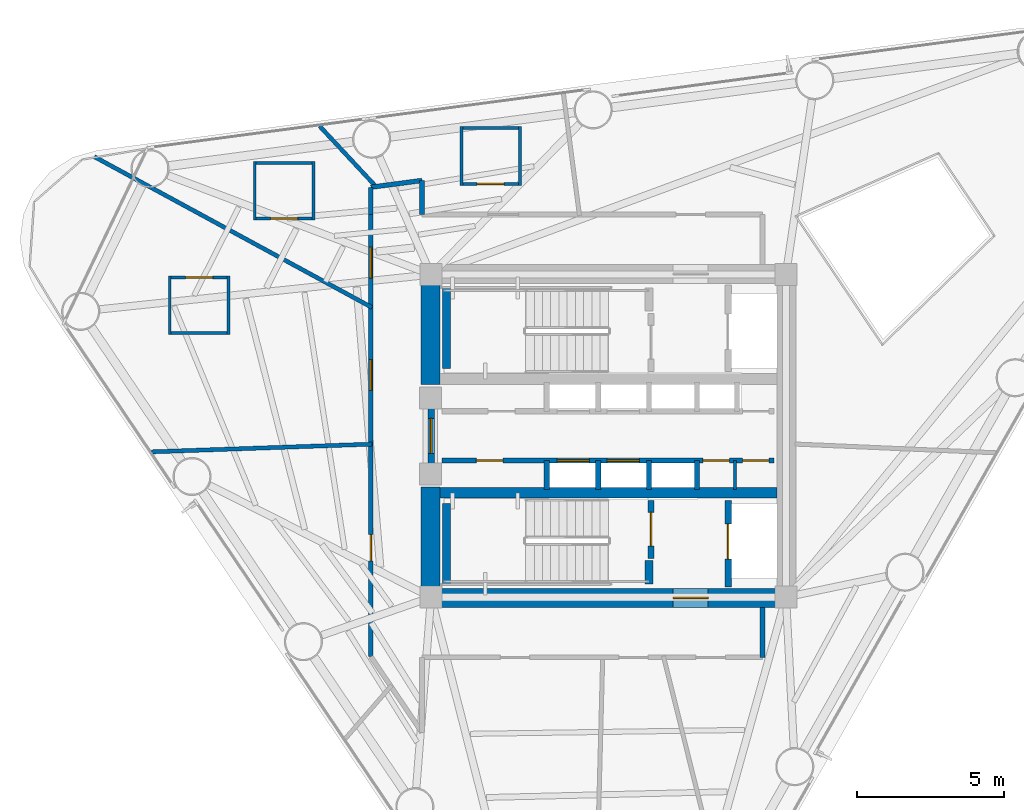
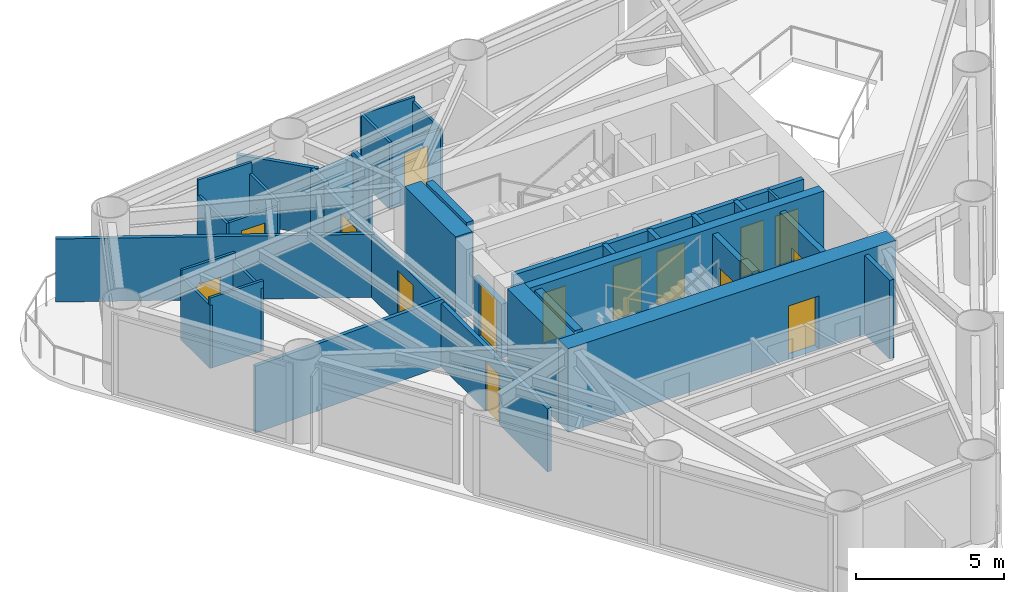
# One storey, part 5 of 9: 36 walls, 15 doors, 15 openings.
"""IFC4 building model written with IfcOpenShell, lengths in metres."""

from ifc_helpers import new_model, si_unit, direction, frame, frame_2d, origin, place, context, subcontext, project, spatial, rectangle, extrude, material, layer, layer_set, type_object, element, fill, save


model = new_model("IFC4")

# Units and contexts
model_context = context("Model", 3, precision=1e-05, world=origin(), true_north=direction((0.0, 1.0)))
body_context = subcontext(model_context, "Body", "Model", "MODEL_VIEW")
ifc_project = project(units=[si_unit("LENGTHUNIT", "METRE"), si_unit("AREAUNIT", "SQUARE_METRE"), si_unit("VOLUMEUNIT", "CUBIC_METRE"), si_unit("PLANEANGLEUNIT", "RADIAN"), si_unit("MASSUNIT", "GRAM", prefix="KILO")], contexts=[model_context])

# Site, building, storey
site_placement = place(None, origin())
site = spatial("IfcSite", under=ifc_project, at=site_placement, CompositionType="ELEMENT")
building_placement = place(site_placement, origin())
building = spatial("IfcBuilding", under=site, at=building_placement, Name="Yunling Apex Tower", CompositionType="ELEMENT")
storey_placement = place(building_placement, frame((0.0, 0.0, 176.0)))
storey = spatial("IfcBuildingStorey", under=building, at=storey_placement, Name="L43", CompositionType="ELEMENT", Elevation=176.0)

# Wall, opening, door
ifc_material_1 = material(Name="Concrete C50", Category="concrete")
ifc_layer_1 = layer(ifc_material_1, 0.64990234375)
ifc_layer_set_1 = layer_set([ifc_layer_1], Name="Concrete C50")
wall_type_1 = type_object("IfcWallType", Name="WL-COR-2", PredefinedType="SHEAR", material=ifc_layer_set_1)
wall_1_placement = place(storey_placement, frame((-6.39990234375, -5.52490234375, 0.0), z_axis=(0.0, 0.0, 1.0), x_axis=(1.0, 0.0, 0.0)))
wall_1 = element("IfcWall", 1, at=wall_1_placement, inside=storey, type_object=wall_type_1, Name="L43 South Core Shear Wall", PredefinedType="SHEAR", context=body_context, shape_type="SweptSolid", body=[
    extrude(rectangle(XDim=12.7998046875, YDim=0.64990234375, at=frame_2d((6.39990234375, 0.0))), origin(), (0.0, 0.0, 1.0), 3.449951171875),
])
opening_1_placement = place(wall_1_placement, frame((8.60009765625, 0.0, 0.0)))
opening_1 = element("IfcOpeningElement", 2, at=opening_1_placement, cuts=wall_1, Name="Opening DR-FFL-1", PredefinedType="OPENING", context=body_context, shape_type="SweptSolid", body=[
    extrude(rectangle(XDim=1.199951171875, YDim=2.199951171875, at=frame_2d((0.60009765625, 1.10009765625))), frame((0.0, 0.3349609375, 0.0), z_axis=(0.0, -1.0, 0.0), x_axis=(1.0, 0.0, 0.0)), (0.0, 0.0, 1.0), 0.669921875),
])
ifc_material_2 = material(Name="Steel Q355B", Category="steel")
door_type_1 = type_object("IfcDoorType", Name="DR-FFL-1", OperationType="NOTDEFINED", PredefinedType="DOOR", material=ifc_material_2)
door_1_placement = place(opening_1_placement, origin())
door_1 = element("IfcDoor", 3, at=door_1_placement, inside=storey, type_object=door_type_1, Name="L43 South Firefighting Lobby Door", OperationType="SINGLE_SWING_RIGHT", OverallHeight=2.199951171875, OverallWidth=1.199951171875, PredefinedType="DOOR", context=body_context, shape_type="SweptSolid", body=[
    extrude(rectangle(XDim=1.199951171875, YDim=2.199951171875, at=frame_2d((0.60009765625, 1.10009765625))), frame((0.0, 0.02490234375, 0.0), z_axis=(0.0, -1.0, 0.0), x_axis=(1.0, 0.0, 0.0)), (0.0, 0.0, 1.0), 0.050048828125),
])
fill(opening_1, door_1)

# Walls
for number, where, z_axis, x_axis, name in (
    (4, (-6.074951171875, -5.199951171875, 0.0), (0.0, 0.0, 1.0), (0.0, 1.0, 0.0), "L43 West-South Core Shear Wall"),
    (5, (-6.074951171875, 1.75, 0.0), (0.0, 0.0, 1.0), (0.0, 1.0, 0.0), "L43 West-North Core Shear Wall"),
):
    element("IfcWall", number, at=place(storey_placement, frame(where, z_axis=z_axis, x_axis=x_axis)), inside=storey, type_object=wall_type_1, Name=name, PredefinedType="SHEAR", context=body_context, shape_type="SweptSolid", body=[
        extrude(rectangle(XDim=3.449951171875, YDim=0.64990234375, at=frame_2d((1.72509765625, 0.0))), origin(), (0.0, 0.0, 1.0), 3.449951171875),
    ])
ifc_material_3 = material(Name="Concrete C40", Category="concrete")
ifc_layer_2 = layer(ifc_material_3, 0.360107421875)
ifc_layer_set_2 = layer_set([ifc_layer_2], Name="Concrete C40")
wall_type_2 = type_object("IfcWallType", Name="WL-COR-4", PredefinedType="SHEAR", material=ifc_layer_set_2)
wall_2_placement = place(storey_placement, frame((-5.75, -1.93994140625, 0.0), z_axis=(0.0, 0.0, 1.0), x_axis=(1.0, 0.0, 0.0)))
element("IfcWall", 6, at=wall_2_placement, inside=storey, type_object=wall_type_2, Name="L43 South Internal Core Shear Wall", PredefinedType="SHEAR", context=body_context, shape_type="SweptSolid", body=[
    extrude(rectangle(XDim=11.5, YDim=0.360107421875, at=frame_2d((5.75, 0.0))), origin(), (0.0, 0.0, 1.0), 3.449951171875),
])
ifc_layer_3 = layer(ifc_material_3, 0.280029296875)
ifc_layer_set_3 = layer_set([ifc_layer_3], Name="Concrete C40")
wall_type_3 = type_object("IfcWallType", Name="WL-COR-8", PredefinedType="SHEAR", material=ifc_layer_set_3)
for number, where, z_axis, x_axis, name in (
    (7, (-5.52001953125, 2.300048828125, 0.0), (0.0, 0.0, 1.0), (0.0, 1.0, 0.0), "L43 ST-1 West Landing Bearing Wall"),
    (8, (-5.52001953125, -5.050048828125, 0.0), (0.0, 0.0, 1.0), (0.0, 1.0, 0.0), "L43 ST-2 West Landing Bearing Wall"),
):
    element("IfcWall", number, at=place(storey_placement, frame(where, z_axis=z_axis, x_axis=x_axis)), inside=storey, type_object=wall_type_3, Name=name, PredefinedType="SHEAR", context=body_context, shape_type="SweptSolid", body=[
        extrude(rectangle(XDim=2.75, YDim=0.280029296875, at=frame_2d((1.375, 0.0))), origin(), (0.0, 0.0, 1.0), 3.449951171875),
    ])
wall_3_placement = place(storey_placement, frame((1.3798828125, -5.050048828125, 0.0), z_axis=(0.0, 0.0, 1.0), x_axis=(0.0, 1.0, 0.0)))
element("IfcWall", 9, at=wall_3_placement, inside=storey, type_object=wall_type_3, Name="L43 ST-2 East Landing Bearing Pier", PredefinedType="SHEAR", context=body_context, shape_type="SweptSolid", body=[
    extrude(rectangle(XDim=0.800048828125, YDim=0.280029296875, at=frame_2d((0.39990234375, 0.0))), origin(), (0.0, 0.0, 1.0), 3.449951171875),
])

# Wall, openings, doors
ifc_material_4 = material(Name="Gypsum board acoustic partition")
ifc_layer_4 = layer(ifc_material_4, 0.159912109375)
ifc_layer_set_4 = layer_set([ifc_layer_4], Name="Gypsum board acoustic partition")
wall_type_4 = type_object("IfcWallType", Name="WL-PRT-1", PredefinedType="PARTITIONING", material=ifc_layer_set_4)
wall_4_placement = place(storey_placement, frame((-8.10009765625, -7.52783203125, 0.0), z_axis=(0.0, 0.0, 1.0), x_axis=(0.0, 1.0, 0.0)))
wall_4 = element("IfcWall", 10, at=wall_4_placement, inside=storey, type_object=wall_type_4, Name="WL-CORR-L43-02", PredefinedType="PARTITIONING", context=body_context, shape_type="SweptSolid", body=[
    extrude(rectangle(XDim=15.077880859375, YDim=0.159912109375, at=frame_2d((7.5390625, 0.0))), origin(), (0.0, 0.0, 1.0), 2.60498046875),
])
opening_2_placement = place(wall_4_placement, frame((3.26513671875, 0.0, 0.0)))
opening_2 = element("IfcOpeningElement", 11, at=opening_2_placement, cuts=wall_4, Name="Opening DR-SHF-1", PredefinedType="OPENING", context=body_context, shape_type="SweptSolid", body=[
    extrude(rectangle(XDim=0.89990234375, YDim=2.050048828125, at=frame_2d((0.449951171875, 1.02490234375))), frame((0.0, 0.08984375, 0.0), z_axis=(0.0, -1.0, 0.0), x_axis=(1.0, 0.0, 0.0)), (0.0, 0.0, 1.0), 0.179931640625),
])
opening_3_placement = place(wall_4_placement, frame((9.07861328125, 0.0, 0.0)))
opening_3 = element("IfcOpeningElement", 12, at=opening_3_placement, cuts=wall_4, Name="Opening DR-FL-1", PredefinedType="OPENING", context=body_context, shape_type="SweptSolid", body=[
    extrude(rectangle(XDim=1.050048828125, YDim=2.199951171875, at=frame_2d((0.52490234375, 1.10009765625))), frame((0.0, 0.08984375, 0.0), z_axis=(0.0, -1.0, 0.0), x_axis=(1.0, 0.0, 0.0)), (0.0, 0.0, 1.0), 0.179931640625),
])
opening_4_placement = place(wall_4_placement, frame((12.909912109375, 0.0, 0.0)))
opening_4 = element("IfcOpeningElement", 13, at=opening_4_placement, cuts=wall_4, Name="Opening DR-FL-1", PredefinedType="OPENING", context=body_context, shape_type="SweptSolid", body=[
    extrude(rectangle(XDim=1.050048828125, YDim=2.199951171875, at=frame_2d((0.52490234375, 1.10009765625))), frame((0.0, 0.08984375, 0.0), z_axis=(0.0, -1.0, 0.0), x_axis=(1.0, 0.0, 0.0)), (0.0, 0.0, 1.0), 0.179931640625),
])
ifc_material_5 = material(Name="Timber fire-rated leaf", Category="wood")
door_type_2 = type_object("IfcDoorType", Name="DR-FL-1", OperationType="NOTDEFINED", PredefinedType="DOOR", material=ifc_material_5)
door_2_placement = place(opening_3_placement, origin())
door_2 = element("IfcDoor", 14, at=door_2_placement, inside=storey, type_object=door_type_2, Name="L43 Hotel Suite Door", OperationType="SINGLE_SWING_RIGHT", OverallHeight=2.199951171875, OverallWidth=1.050048828125, PredefinedType="DOOR", context=body_context, shape_type="SweptSolid", body=[
    extrude(rectangle(XDim=1.050048828125, YDim=2.199951171875, at=frame_2d((0.52490234375, 1.10009765625))), frame((0.0, 0.02490234375, 0.0), z_axis=(0.0, -1.0, 0.0), x_axis=(1.0, 0.0, 0.0)), (0.0, 0.0, 1.0), 0.050048828125),
])
fill(opening_3, door_2)
door_3_placement = place(opening_4_placement, origin())
door_3 = element("IfcDoor", 15, at=door_3_placement, inside=storey, type_object=door_type_2, Name="L43 Hotel Guest Room Door", OperationType="SINGLE_SWING_LEFT", OverallHeight=2.199951171875, OverallWidth=1.050048828125, PredefinedType="DOOR", context=body_context, shape_type="SweptSolid", body=[
    extrude(rectangle(XDim=1.050048828125, YDim=2.199951171875, at=frame_2d((0.52490234375, 1.10009765625))), frame((0.0, 0.02490234375, 0.0), z_axis=(0.0, -1.0, 0.0), x_axis=(1.0, 0.0, 0.0)), (0.0, 0.0, 1.0), 0.050048828125),
])
fill(opening_4, door_3)
door_type_3 = type_object("IfcDoorType", Name="DR-SHF-1", OperationType="NOTDEFINED", PredefinedType="DOOR", material=ifc_material_2)
door_4_placement = place(opening_2_placement, origin())
door_4 = element("IfcDoor", 16, at=door_4_placement, inside=storey, type_object=door_type_3, Name="L43 Housekeeping Room Door", OperationType="SINGLE_SWING_LEFT", OverallHeight=2.050048828125, OverallWidth=0.89990234375, PredefinedType="DOOR", context=body_context, shape_type="SweptSolid", body=[
    extrude(rectangle(XDim=0.89990234375, YDim=2.050048828125, at=frame_2d((0.449951171875, 1.02490234375))), frame((0.0, 0.02490234375, 0.0), z_axis=(0.0, -1.0, 0.0), x_axis=(1.0, 0.0, 0.0)), (0.0, 0.0, 1.0), 0.050048828125),
])
fill(opening_2, door_4)

# Walls
wall_5_placement = place(storey_placement, frame((-8.10009765625, 7.550048828125, 0.0), z_axis=(0.0, 0.0, 1.0), x_axis=(0.0, 1.0, 0.0)))
element("IfcWall", 17, at=wall_5_placement, inside=storey, type_object=wall_type_4, Name="WL-CORR-L43-03", PredefinedType="PARTITIONING", context=body_context, shape_type="SweptSolid", body=[
    extrude(rectangle(XDim=0.927001953125, YDim=0.159912109375, at=frame_2d((0.46337890625, 0.0))), origin(), (0.0, 0.0, 1.0), 2.804931640625),
])
wall_6_placement = place(storey_placement, frame((-8.10009765625, 8.47705078125, 0.0), z_axis=(0.0, 0.0, 1.0), x_axis=(0.991341723558, 0.131307224223, 0.0)))
element("IfcWall", 18, at=wall_6_placement, inside=storey, type_object=wall_type_4, Name="WL-CORR-L43-04", PredefinedType="PARTITIONING", context=body_context, shape_type="SweptSolid", body=[
    extrude(rectangle(XDim=1.755126953125, YDim=0.159912109375, at=frame_2d((0.87744140625, 0.0))), origin(), (0.0, 0.0, 1.0), 2.60498046875),
])
wall_7_placement = place(storey_placement, frame((-6.360107421875, 8.70751953125, 0.0), z_axis=(0.0, 0.0, 1.0), x_axis=(0.0, -1.0, 0.0)))
element("IfcWall", 19, at=wall_7_placement, inside=storey, type_object=wall_type_4, Name="WL-CORR-L43-05", PredefinedType="PARTITIONING", context=body_context, shape_type="SweptSolid", body=[
    extrude(rectangle(XDim=1.157470703125, YDim=0.159912109375, at=frame_2d((0.57861328125, 0.0))), origin(), (0.0, 0.0, 1.0), 2.804931640625),
])
wall_8_placement = place(storey_placement, frame((5.25, -5.85009765625, 0.0), z_axis=(0.0, 0.0, 1.0), x_axis=(0.0, -1.0, 0.0)))
element("IfcWall", 20, at=wall_8_placement, inside=storey, type_object=wall_type_4, Name="WL-CORR-L43-08", PredefinedType="PARTITIONING", context=body_context, shape_type="SweptSolid", body=[
    extrude(rectangle(XDim=1.699951171875, YDim=0.159912109375, at=frame_2d((0.85009765625, 0.0))), origin(), (0.0, 0.0, 1.0), 3.25),
])
ifc_layer_5 = layer(ifc_material_4, 0.139892578125)
ifc_layer_set_5 = layer_set([ifc_layer_5], Name="Gypsum board acoustic partition")
wall_type_5 = type_object("IfcWallType", Name="WL-PRT-2", PredefinedType="PARTITIONING", material=ifc_layer_set_5)
wall_9_placement = place(storey_placement, frame((-7.892822265625, 8.464111328125, 0.0), z_axis=(0.0, 0.0, 1.0), x_axis=(-0.682011061147, 0.73134185746, 0.0)))
element("IfcWall", 21, at=wall_9_placement, inside=storey, type_object=wall_type_5, Name="WL-RAD-L43-03", PredefinedType="PARTITIONING", context=body_context, shape_type="SweptSolid", body=[
    extrude(rectangle(XDim=2.860595703125, YDim=0.139892578125, at=frame_2d((1.43017578125, 0.0))), origin(), (0.0, 0.0, 1.0), 2.764892578125),
])
wall_10_placement = place(storey_placement, frame((-8.06005859375, 4.376220703125, 0.0), z_axis=(0.0, 0.0, 1.0), x_axis=(-0.878817054271, 0.477158867802, 0.0)))
element("IfcWall", 22, at=wall_10_placement, inside=storey, type_object=wall_type_5, Name="WL-RAD-L43-04", PredefinedType="PARTITIONING", context=body_context, shape_type="SweptSolid", body=[
    extrude(rectangle(XDim=10.7744140625, YDim=0.139892578125, at=frame_2d((5.38720703125, 0.0))), origin(), (0.0, 0.0, 1.0), 2.60498046875),
])
wall_11_placement = place(storey_placement, frame((-8.06005859375, -0.281494140625, 0.0), z_axis=(0.0, 0.0, 1.0), x_axis=(-0.999391525522, -0.034879488461, 0.0)))
element("IfcWall", 23, at=wall_11_placement, inside=storey, type_object=wall_type_5, Name="WL-RAD-L43-05", PredefinedType="PARTITIONING", context=body_context, shape_type="SweptSolid", body=[
    extrude(rectangle(XDim=7.517578125, YDim=0.139892578125, at=frame_2d((3.7587890625, 0.0))), origin(), (0.0, 0.0, 1.0), 2.764892578125),
])
ifc_layer_6 = layer(ifc_material_4, 0.10009765625)
ifc_layer_set_6 = layer_set([ifc_layer_6], Name="Gypsum board acoustic partition")
wall_type_6 = type_object("IfcWallType", Name="WL-PRT-4", PredefinedType="PARTITIONING", material=ifc_layer_set_6)
wall_12_placement = place(storey_placement, frame((4.31005859375, -1.820068359375, 0.0), z_axis=(0.0, 0.0, 1.0), x_axis=(0.0, 1.0, 0.0)))
element("IfcWall", 24, at=wall_12_placement, inside=storey, type_object=wall_type_6, Name="WL-KCDIV-L43", PredefinedType="PARTITIONING", context=body_context, shape_type="SweptSolid", body=[
    extrude(rectangle(XDim=0.97998046875, YDim=0.10009765625, at=frame_2d((0.489990234375, 0.0))), origin(), (0.0, 0.0, 1.0), 3.25),
])
wall_13_placement = place(storey_placement, frame((-5.06494140625, 10.489990234375, 0.0), z_axis=(0.0, 0.0, 1.0), x_axis=(1.0, 0.0, 0.0)))
element("IfcWall", 25, at=wall_13_placement, inside=storey, type_object=wall_type_6, Name="WL-ENS-L43-6N", PredefinedType="PARTITIONING", context=body_context, shape_type="SweptSolid", body=[
    extrude(rectangle(XDim=2.099853515625, YDim=0.10009765625, at=frame_2d((1.0498046875, 0.0))), origin(), (0.0, 0.0, 1.0), 2.764892578125),
])

# Wall, opening, door
wall_14_placement = place(storey_placement, frame((-2.965087890625, 8.590087890625, 0.0), z_axis=(0.0, 0.0, 1.0), x_axis=(-1.0, 0.0, 0.0)))
wall_14 = element("IfcWall", 26, at=wall_14_placement, inside=storey, type_object=wall_type_6, Name="WL-ENS-L43-6S", PredefinedType="PARTITIONING", context=body_context, shape_type="SweptSolid", body=[
    extrude(rectangle(XDim=2.099853515625, YDim=0.10009765625, at=frame_2d((1.0498046875, 0.0))), origin(), (0.0, 0.0, 1.0), 2.60498046875),
])
opening_5_placement = place(wall_14_placement, frame((0.590087890625, 0.0, 0.0)))
opening_5 = element("IfcOpeningElement", 27, at=opening_5_placement, cuts=wall_14, Name="Opening DR-WC-1", PredefinedType="OPENING", context=body_context, shape_type="SweptSolid", body=[
    extrude(rectangle(XDim=0.919921875, YDim=2.10009765625, at=frame_2d((0.4599609375, 1.050048828125))), frame((0.0, 0.06005859375, 0.0), z_axis=(0.0, -1.0, 0.0), x_axis=(1.0, 0.0, 0.0)), (0.0, 0.0, 1.0), 0.1201171875),
])
ifc_material_6 = material(Name="Timber moisture-resistant leaf", Category="wood")
door_type_4 = type_object("IfcDoorType", Name="DR-WC-1", OperationType="NOTDEFINED", PredefinedType="DOOR", material=ifc_material_6)
door_5_placement = place(opening_5_placement, origin())
door_5 = element("IfcDoor", 28, at=door_5_placement, inside=storey, type_object=door_type_4, Name="L43 En-Suite Door", OperationType="SINGLE_SWING_RIGHT", OverallHeight=2.10009765625, OverallWidth=0.919921875, PredefinedType="DOOR", context=body_context, shape_type="SweptSolid", body=[
    extrude(rectangle(XDim=0.919921875, YDim=2.10009765625, at=frame_2d((0.4599609375, 1.050048828125))), frame((0.0, 0.02490234375, 0.0), z_axis=(0.0, -1.0, 0.0), x_axis=(1.0, 0.0, 0.0)), (0.0, 0.0, 1.0), 0.050048828125),
])
fill(opening_5, door_5)

# Walls
wall_15_placement = place(storey_placement, frame((-3.014892578125, 10.5400390625, 0.0), z_axis=(0.0, 0.0, 1.0), x_axis=(0.0, -1.0, 0.0)))
element("IfcWall", 29, at=wall_15_placement, inside=storey, type_object=wall_type_6, Name="WL-ENS-L43-6E", PredefinedType="PARTITIONING", context=body_context, shape_type="SweptSolid", body=[
    extrude(rectangle(XDim=2.0, YDim=0.10009765625, at=frame_2d((1.0, 0.0))), origin(), (0.0, 0.0, 1.0), 2.60498046875),
])
wall_16_placement = place(storey_placement, frame((-5.014892578125, 8.5400390625, 0.0), z_axis=(0.0, 0.0, 1.0), x_axis=(0.0, 1.0, 0.0)))
element("IfcWall", 30, at=wall_16_placement, inside=storey, type_object=wall_type_6, Name="WL-ENS-L43-6W", PredefinedType="PARTITIONING", context=body_context, shape_type="SweptSolid", body=[
    extrude(rectangle(XDim=2.0, YDim=0.10009765625, at=frame_2d((1.0, 0.0))), origin(), (0.0, 0.0, 1.0), 2.764892578125),
])
wall_17_placement = place(storey_placement, frame((-12.10888671875, 9.30810546875, 0.0), z_axis=(0.0, 0.0, 1.0), x_axis=(1.0, 0.0, 0.0)))
element("IfcWall", 31, at=wall_17_placement, inside=storey, type_object=wall_type_6, Name="WL-ENS-L43-7N", PredefinedType="PARTITIONING", context=body_context, shape_type="SweptSolid", body=[
    extrude(rectangle(XDim=2.099853515625, YDim=0.10009765625, at=frame_2d((1.0498046875, 0.0))), origin(), (0.0, 0.0, 1.0), 3.25),
])

# Wall, opening, door
wall_18_placement = place(storey_placement, frame((-10.009033203125, 7.407958984375, 0.0), z_axis=(0.0, 0.0, 1.0), x_axis=(-1.0, 0.0, 0.0)))
wall_18 = element("IfcWall", 32, at=wall_18_placement, inside=storey, type_object=wall_type_6, Name="WL-ENS-L43-7S", PredefinedType="PARTITIONING", context=body_context, shape_type="SweptSolid", body=[
    extrude(rectangle(XDim=2.099853515625, YDim=0.10009765625, at=frame_2d((1.0498046875, 0.0))), origin(), (0.0, 0.0, 1.0), 2.60498046875),
])
opening_6_placement = place(wall_18_placement, frame((0.590087890625, 0.0, 0.0)))
opening_6 = element("IfcOpeningElement", 33, at=opening_6_placement, cuts=wall_18, Name="Opening DR-WC-1", PredefinedType="OPENING", context=body_context, shape_type="SweptSolid", body=[
    extrude(rectangle(XDim=0.919921875, YDim=2.10009765625, at=frame_2d((0.4599609375, 1.050048828125))), frame((0.0, 0.06005859375, 0.0), z_axis=(0.0, -1.0, 0.0), x_axis=(1.0, 0.0, 0.0)), (0.0, 0.0, 1.0), 0.1201171875),
])
door_6_placement = place(opening_6_placement, origin())
door_6 = element("IfcDoor", 34, at=door_6_placement, inside=storey, type_object=door_type_4, Name="L43 En-Suite Door", OperationType="SINGLE_SWING_LEFT", OverallHeight=2.10009765625, OverallWidth=0.919921875, PredefinedType="DOOR", context=body_context, shape_type="SweptSolid", body=[
    extrude(rectangle(XDim=0.919921875, YDim=2.10009765625, at=frame_2d((0.4599609375, 1.050048828125))), frame((0.0, 0.02490234375, 0.0), z_axis=(0.0, -1.0, 0.0), x_axis=(1.0, 0.0, 0.0)), (0.0, 0.0, 1.0), 0.050048828125),
])
fill(opening_6, door_6)

# Walls
wall_19_placement = place(storey_placement, frame((-10.05908203125, 9.35791015625, 0.0), z_axis=(0.0, 0.0, 1.0), x_axis=(0.0, -1.0, 0.0)))
element("IfcWall", 35, at=wall_19_placement, inside=storey, type_object=wall_type_6, Name="WL-ENS-L43-7E", PredefinedType="PARTITIONING", context=body_context, shape_type="SweptSolid", body=[
    extrude(rectangle(XDim=2.0, YDim=0.10009765625, at=frame_2d((1.0, 0.0))), origin(), (0.0, 0.0, 1.0), 2.804931640625),
])
wall_20_placement = place(storey_placement, frame((-12.05908203125, 7.35791015625, 0.0), z_axis=(0.0, 0.0, 1.0), x_axis=(0.0, 1.0, 0.0)))
element("IfcWall", 36, at=wall_20_placement, inside=storey, type_object=wall_type_6, Name="WL-ENS-L43-7W", PredefinedType="PARTITIONING", context=body_context, shape_type="SweptSolid", body=[
    extrude(rectangle(XDim=2.0, YDim=0.10009765625, at=frame_2d((1.0, 0.0))), origin(), (0.0, 0.0, 1.0), 2.60498046875),
])

# Wall, opening, door
wall_21_placement = place(storey_placement, frame((-15.007080078125, 5.403076171875, 0.0), z_axis=(0.0, 0.0, 1.0), x_axis=(1.0, 0.0, 0.0)))
wall_21 = element("IfcWall", 37, at=wall_21_placement, inside=storey, type_object=wall_type_6, Name="WL-ENS-L43-8N", PredefinedType="PARTITIONING", context=body_context, shape_type="SweptSolid", body=[
    extrude(rectangle(XDim=2.10009765625, YDim=0.10009765625, at=frame_2d((1.050048828125, 0.0))), origin(), (0.0, 0.0, 1.0), 2.905029296875),
])
opening_7_placement = place(wall_21_placement, frame((0.590087890625, 0.0, 0.0)))
opening_7 = element("IfcOpeningElement", 38, at=opening_7_placement, cuts=wall_21, Name="Opening DR-WC-1", PredefinedType="OPENING", context=body_context, shape_type="SweptSolid", body=[
    extrude(rectangle(XDim=0.919921875, YDim=2.10009765625, at=frame_2d((0.4599609375, 1.050048828125))), frame((0.0, 0.06005859375, 0.0), z_axis=(0.0, -1.0, 0.0), x_axis=(1.0, 0.0, 0.0)), (0.0, 0.0, 1.0), 0.1201171875),
])
door_7_placement = place(opening_7_placement, origin())
door_7 = element("IfcDoor", 39, at=door_7_placement, inside=storey, type_object=door_type_4, Name="L43 En-Suite Door", OperationType="SINGLE_SWING_RIGHT", OverallHeight=2.10009765625, OverallWidth=0.919921875, PredefinedType="DOOR", context=body_context, shape_type="SweptSolid", body=[
    extrude(rectangle(XDim=0.919921875, YDim=2.10009765625, at=frame_2d((0.4599609375, 1.050048828125))), frame((0.0, 0.02490234375, 0.0), z_axis=(0.0, -1.0, 0.0), x_axis=(1.0, 0.0, 0.0)), (0.0, 0.0, 1.0), 0.050048828125),
])
fill(opening_7, door_7)

# Walls
wall_22_placement = place(storey_placement, frame((-12.906982421875, 3.5029296875, 0.0), z_axis=(0.0, 0.0, 1.0), x_axis=(-1.0, 0.0, 0.0)))
element("IfcWall", 40, at=wall_22_placement, inside=storey, type_object=wall_type_6, Name="WL-ENS-L43-8S", PredefinedType="PARTITIONING", context=body_context, shape_type="SweptSolid", body=[
    extrude(rectangle(XDim=2.10009765625, YDim=0.10009765625, at=frame_2d((1.050048828125, 0.0))), origin(), (0.0, 0.0, 1.0), 2.905029296875),
])
for number, where, z_axis, x_axis, name in (
    (41, (-12.95703125, 5.452880859375, 0.0), (0.0, 0.0, 1.0), (0.0, -1.0, 0.0), "WL-ENS-L43-8E"),
    (42, (-14.95703125, 3.452880859375, 0.0), (0.0, 0.0, 1.0), (0.0, 1.0, 0.0), "WL-ENS-L43-8W"),
):
    element("IfcWall", number, at=place(storey_placement, frame(where, z_axis=z_axis, x_axis=x_axis)), inside=storey, type_object=wall_type_6, Name=name, PredefinedType="PARTITIONING", context=body_context, shape_type="SweptSolid", body=[
        extrude(rectangle(XDim=2.0, YDim=0.10009765625, at=frame_2d((1.0, 0.0))), origin(), (0.0, 0.0, 1.0), 2.60498046875),
    ])

# Wall, opening, door
ifc_material_7 = material(Name="Autoclaved aerated concrete masonry", Category="masonry")
ifc_layer_7 = layer(ifc_material_7, 0.219970703125)
ifc_layer_set_7 = layer_set([ifc_layer_7], Name="Autoclaved aerated concrete masonry")
wall_type_7 = type_object("IfcWallType", Name="WL-SHF-1", PredefinedType="PLUMBINGWALL", material=ifc_layer_set_7)
wall_23_placement = place(storey_placement, frame((-6.050048828125, -0.949951171875, 0.0), z_axis=(0.0, 0.0, 1.0), x_axis=(0.0, 1.0, 0.0)))
wall_23 = element("IfcWall", 43, at=wall_23_placement, inside=storey, type_object=wall_type_7, Name="WL-COR-WPORT-L43", PredefinedType="PLUMBINGWALL", context=body_context, shape_type="SweptSolid", body=[
    extrude(rectangle(XDim=1.89990234375, YDim=0.219970703125, at=frame_2d((0.949951171875, 0.0))), origin(), (0.0, 0.0, 1.0), 2.22998046875),
])
opening_8_placement = place(wall_23_placement, frame((0.35009765625, 0.0, 0.0)))
opening_8 = element("IfcOpeningElement", 44, at=opening_8_placement, cuts=wall_23, Name="Opening DR-FFL-1", PredefinedType="OPENING", context=body_context, shape_type="SweptSolid", body=[
    extrude(rectangle(XDim=1.199951171875, YDim=2.199951171875, at=frame_2d((0.60009765625, 1.10009765625))), frame((0.0, 0.1201171875, 0.0), z_axis=(0.0, -1.0, 0.0), x_axis=(1.0, 0.0, 0.0)), (0.0, 0.0, 1.0), 0.239990234375),
])
door_8_placement = place(opening_8_placement, origin())
door_8 = element("IfcDoor", 45, at=door_8_placement, inside=storey, type_object=door_type_1, Name="L43 Passenger Lift Lobby Entrance Door", OperationType="SINGLE_SWING_LEFT", OverallHeight=2.199951171875, OverallWidth=1.199951171875, PredefinedType="DOOR", context=body_context, shape_type="SweptSolid", body=[
    extrude(rectangle(XDim=1.199951171875, YDim=2.199951171875, at=frame_2d((0.60009765625, 1.10009765625))), frame((0.0, 0.02490234375, 0.0), z_axis=(0.0, -1.0, 0.0), x_axis=(1.0, 0.0, 0.0)), (0.0, 0.0, 1.0), 0.050048828125),
])
fill(opening_8, door_8)

wall_24_placement = place(storey_placement, frame((1.449951171875, -4.179931640625, 0.0), z_axis=(0.0, 0.0, 1.0), x_axis=(0.0, 1.0, 0.0)))
wall_24 = element("IfcWall", 46, at=wall_24_placement, inside=storey, type_object=wall_type_7, Name="WL-ST2-E-L43", PredefinedType="PLUMBINGWALL", context=body_context, shape_type="SweptSolid", body=[
    extrude(rectangle(XDim=1.97998046875, YDim=0.219970703125, at=frame_2d((0.989990234375, 0.0))), origin(), (0.0, 0.0, 1.0), 3.25),
])
opening_9_placement = place(wall_24_placement, frame((0.419921875, 0.0, 0.0)))
opening_9 = element("IfcOpeningElement", 47, at=opening_9_placement, cuts=wall_24, Name="Opening DR-ST-1", PredefinedType="OPENING", context=body_context, shape_type="SweptSolid", body=[
    extrude(rectangle(XDim=1.14990234375, YDim=2.14990234375, at=frame_2d((0.574951171875, 1.074951171875))), frame((0.0, 0.1201171875, 0.0), z_axis=(0.0, -1.0, 0.0), x_axis=(1.0, 0.0, 0.0)), (0.0, 0.0, 1.0), 0.239990234375),
])
door_type_5 = type_object("IfcDoorType", Name="DR-ST-1", OperationType="NOTDEFINED", PredefinedType="DOOR", material=ifc_material_2)
door_9_placement = place(opening_9_placement, origin())
door_9 = element("IfcDoor", 48, at=door_9_placement, inside=storey, type_object=door_type_5, Name="L43 Stair ST-2 Fire Door", OperationType="SINGLE_SWING_RIGHT", OverallHeight=2.14990234375, OverallWidth=1.14990234375, PredefinedType="DOOR", context=body_context, shape_type="SweptSolid", body=[
    extrude(rectangle(XDim=1.14990234375, YDim=2.14990234375, at=frame_2d((0.574951171875, 1.074951171875))), frame((0.0, 0.02490234375, 0.0), z_axis=(0.0, -1.0, 0.0), x_axis=(1.0, 0.0, 0.0)), (0.0, 0.0, 1.0), 0.050048828125),
])
fill(opening_9, door_9)

wall_25_placement = place(storey_placement, frame((4.080078125, -5.14990234375, 0.0), z_axis=(0.0, 0.0, 1.0), x_axis=(0.0, 1.0, 0.0)))
wall_25 = element("IfcWall", 49, at=wall_25_placement, inside=storey, type_object=wall_type_7, Name="WL-FFL2-W-L43", PredefinedType="PLUMBINGWALL", context=body_context, shape_type="SweptSolid", body=[
    extrude(rectangle(XDim=2.949951171875, YDim=0.219970703125, at=frame_2d((1.47509765625, 0.0))), origin(), (0.0, 0.0, 1.0), 3.25),
])
opening_10_placement = place(wall_25_placement, frame((0.949951171875, 0.0, 0.0)))
opening_10 = element("IfcOpeningElement", 50, at=opening_10_placement, cuts=wall_25, Name="Opening LD-FFL-1", PredefinedType="OPENING", context=body_context, shape_type="SweptSolid", body=[
    extrude(rectangle(XDim=1.199951171875, YDim=2.25, at=frame_2d((0.60009765625, 1.125))), frame((0.0, 0.1201171875, 0.0), z_axis=(0.0, -1.0, 0.0), x_axis=(1.0, 0.0, 0.0)), (0.0, 0.0, 1.0), 0.239990234375),
])
door_type_6 = type_object("IfcDoorType", Name="LD-FFL-1", OperationType="DOUBLE_DOOR_SLIDING", PredefinedType="DOOR", material=ifc_material_2)
door_10_placement = place(opening_10_placement, origin())
door_10 = element("IfcDoor", 51, at=door_10_placement, inside=storey, type_object=door_type_6, Name="L43 Lift FFL-2 Landing Door", OperationType="DOUBLE_DOOR_SLIDING", OverallHeight=2.25, OverallWidth=1.199951171875, PredefinedType="DOOR", context=body_context, shape_type="SweptSolid", body=[
    extrude(rectangle(XDim=1.199951171875, YDim=2.25, at=frame_2d((0.60009765625, 1.125))), frame((0.0, 0.02490234375, 0.0), z_axis=(0.0, -1.0, 0.0), x_axis=(1.0, 0.0, 0.0)), (0.0, 0.0, 1.0), 0.050048828125),
])
fill(opening_10, door_10)

# Walls
ifc_layer_8 = layer(ifc_material_7, 0.179931640625)
ifc_layer_set_8 = layer_set([ifc_layer_8], Name="Autoclaved aerated concrete masonry")
wall_type_8 = type_object("IfcWallType", Name="WL-SHF-2", PredefinedType="PLUMBINGWALL", material=ifc_layer_set_8)
for number, where, z_axis, x_axis, name in (
    (52, (-2.10009765625, -1.820068359375, 0.0), (0.0, 0.0, 1.0), (0.0, 1.0, 0.0), "WL-BNK-LM-S-L43"),
    (53, (-0.35009765625, -1.820068359375, 0.0), (0.0, 0.0, 1.0), (0.0, 1.0, 0.0), "WL-DIV-M34-L43"),
    (54, (1.3798828125, -1.820068359375, 0.0), (0.0, 0.0, 1.0), (0.0, 1.0, 0.0), "WL-BNK-MH-S-L43"),
    (55, (3.02001953125, -1.820068359375, 0.0), (0.0, 0.0, 1.0), (0.0, 1.0, 0.0), "WL-END-H2E-L43"),
):
    element("IfcWall", number, at=place(storey_placement, frame(where, z_axis=z_axis, x_axis=x_axis)), inside=storey, type_object=wall_type_8, Name=name, PredefinedType="PLUMBINGWALL", context=body_context, shape_type="SweptSolid", body=[
        extrude(rectangle(XDim=0.97998046875, YDim=0.179931640625, at=frame_2d((0.489990234375, 0.0))), origin(), (0.0, 0.0, 1.0), 3.25),
    ])

# Wall, openings, doors
wall_26_placement = place(storey_placement, frame((-5.679931640625, -0.840087890625, 0.0), z_axis=(0.0, 0.0, 1.0), x_axis=(1.0, 0.0, 0.0)))
wall_26 = element("IfcWall", 56, at=wall_26_placement, inside=storey, type_object=wall_type_8, Name="WL-LOB-S-L43", PredefinedType="PLUMBINGWALL", context=body_context, shape_type="SweptSolid", body=[
    extrude(rectangle(XDim=11.329833984375, YDim=0.179931640625, at=frame_2d((5.6650390625, 0.0))), origin(), (0.0, 0.0, 1.0), 3.25),
])
opening_11_placement = place(wall_26_placement, frame((1.179931640625, 0.0, 0.0)))
opening_11 = element("IfcOpeningElement", 57, at=opening_11_placement, cuts=wall_26, Name="Opening DR-SHF-1", PredefinedType="OPENING", context=body_context, shape_type="SweptSolid", body=[
    extrude(rectangle(XDim=0.89990234375, YDim=2.050048828125, at=frame_2d((0.449951171875, 1.02490234375))), frame((0.0, 0.10009765625, 0.0), z_axis=(0.0, -1.0, 0.0), x_axis=(1.0, 0.0, 0.0)), (0.0, 0.0, 1.0), 0.199951171875),
])
opening_12_placement = place(wall_26_placement, frame((3.929931640625, 0.0, 0.0)))
opening_12 = element("IfcOpeningElement", 58, at=opening_12_placement, cuts=wall_26, Name="Opening LD-PAS-1", PredefinedType="OPENING", context=body_context, shape_type="SweptSolid", body=[
    extrude(rectangle(XDim=1.10009765625, YDim=2.199951171875, at=frame_2d((0.550048828125, 1.10009765625))), frame((0.0, 0.10009765625, 0.0), z_axis=(0.0, -1.0, 0.0), x_axis=(1.0, 0.0, 0.0)), (0.0, 0.0, 1.0), 0.199951171875),
])
opening_13_placement = place(wall_26_placement, frame((5.6298828125, 0.0, 0.0)))
opening_13 = element("IfcOpeningElement", 59, at=opening_13_placement, cuts=wall_26, Name="Opening LD-PAS-1", PredefinedType="OPENING", context=body_context, shape_type="SweptSolid", body=[
    extrude(rectangle(XDim=1.10009765625, YDim=2.199951171875, at=frame_2d((0.550048828125, 1.10009765625))), frame((0.0, 0.10009765625, 0.0), z_axis=(0.0, -1.0, 0.0), x_axis=(1.0, 0.0, 0.0)), (0.0, 0.0, 1.0), 0.199951171875),
])
opening_14_placement = place(wall_26_placement, frame((8.89990234375, 0.0, 0.0)))
opening_14 = element("IfcOpeningElement", 60, at=opening_14_placement, cuts=wall_26, Name="Opening DR-SHF-1", PredefinedType="OPENING", context=body_context, shape_type="SweptSolid", body=[
    extrude(rectangle(XDim=0.89990234375, YDim=2.050048828125, at=frame_2d((0.449951171875, 1.02490234375))), frame((0.0, 0.10009765625, 0.0), z_axis=(0.0, -1.0, 0.0), x_axis=(1.0, 0.0, 0.0)), (0.0, 0.0, 1.0), 0.199951171875),
])
opening_15_placement = place(wall_26_placement, frame((10.25, 0.0, 0.0)))
opening_15 = element("IfcOpeningElement", 61, at=opening_15_placement, cuts=wall_26, Name="Opening DR-SHF-1", PredefinedType="OPENING", context=body_context, shape_type="SweptSolid", body=[
    extrude(rectangle(XDim=0.89990234375, YDim=2.050048828125, at=frame_2d((0.449951171875, 1.02490234375))), frame((0.0, 0.10009765625, 0.0), z_axis=(0.0, -1.0, 0.0), x_axis=(1.0, 0.0, 0.0)), (0.0, 0.0, 1.0), 0.199951171875),
])
door_11_placement = place(opening_11_placement, origin())
door_11 = element("IfcDoor", 62, at=door_11_placement, inside=storey, type_object=door_type_3, Name="L43 Archive Store Door", OperationType="SINGLE_SWING_LEFT", OverallHeight=2.050048828125, OverallWidth=0.89990234375, PredefinedType="DOOR", context=body_context, shape_type="SweptSolid", body=[
    extrude(rectangle(XDim=0.89990234375, YDim=2.050048828125, at=frame_2d((0.449951171875, 1.02490234375))), frame((0.0, 0.02490234375, 0.0), z_axis=(0.0, -1.0, 0.0), x_axis=(1.0, 0.0, 0.0)), (0.0, 0.0, 1.0), 0.050048828125),
])
fill(opening_11, door_11)
door_12_placement = place(opening_14_placement, origin())
door_12 = element("IfcDoor", 63, at=door_12_placement, inside=storey, type_object=door_type_3, Name="L43 LV Closet Door", OperationType="SINGLE_SWING_RIGHT", OverallHeight=2.050048828125, OverallWidth=0.89990234375, PredefinedType="DOOR", context=body_context, shape_type="SweptSolid", body=[
    extrude(rectangle(XDim=0.89990234375, YDim=2.050048828125, at=frame_2d((0.449951171875, 1.02490234375))), frame((0.0, 0.02490234375, 0.0), z_axis=(0.0, -1.0, 0.0), x_axis=(1.0, 0.0, 0.0)), (0.0, 0.0, 1.0), 0.050048828125),
])
fill(opening_14, door_12)
door_13_placement = place(opening_15_placement, origin())
door_13 = element("IfcDoor", 64, at=door_13_placement, inside=storey, type_object=door_type_3, Name="L43 Standpipe Closet Door", OperationType="SINGLE_SWING_LEFT", OverallHeight=2.050048828125, OverallWidth=0.89990234375, PredefinedType="DOOR", context=body_context, shape_type="SweptSolid", body=[
    extrude(rectangle(XDim=0.89990234375, YDim=2.050048828125, at=frame_2d((0.449951171875, 1.02490234375))), frame((0.0, 0.02490234375, 0.0), z_axis=(0.0, -1.0, 0.0), x_axis=(1.0, 0.0, 0.0)), (0.0, 0.0, 1.0), 0.050048828125),
])
fill(opening_15, door_13)
ifc_material_8 = material(Name="Silver anodised aluminium", Category="aluminium")
door_type_7 = type_object("IfcDoorType", Name="LD-PAS-1", OperationType="DOUBLE_DOOR_SLIDING", PredefinedType="DOOR", material=ifc_material_8)
door_14_placement = place(opening_12_placement, origin())
door_14 = element("IfcDoor", 65, at=door_14_placement, inside=storey, type_object=door_type_7, Name="L43 Lift PL-M3 Landing Door", OperationType="DOUBLE_DOOR_SLIDING", OverallHeight=2.199951171875, OverallWidth=1.10009765625, PredefinedType="DOOR", context=body_context, shape_type="SweptSolid", body=[
    extrude(rectangle(XDim=1.10009765625, YDim=2.199951171875, at=frame_2d((0.550048828125, 1.10009765625))), frame((0.0, 0.02490234375, 0.0), z_axis=(0.0, -1.0, 0.0), x_axis=(1.0, 0.0, 0.0)), (0.0, 0.0, 1.0), 0.050048828125),
])
fill(opening_12, door_14)
door_15_placement = place(opening_13_placement, origin())
door_15 = element("IfcDoor", 66, at=door_15_placement, inside=storey, type_object=door_type_7, Name="L43 Lift PL-M4 Landing Door", OperationType="DOUBLE_DOOR_SLIDING", OverallHeight=2.199951171875, OverallWidth=1.10009765625, PredefinedType="DOOR", context=body_context, shape_type="SweptSolid", body=[
    extrude(rectangle(XDim=1.10009765625, YDim=2.199951171875, at=frame_2d((0.550048828125, 1.10009765625))), frame((0.0, 0.02490234375, 0.0), z_axis=(0.0, -1.0, 0.0), x_axis=(1.0, 0.0, 0.0)), (0.0, 0.0, 1.0), 0.050048828125),
])
fill(opening_13, door_15)

save(model, "model.ifc")
